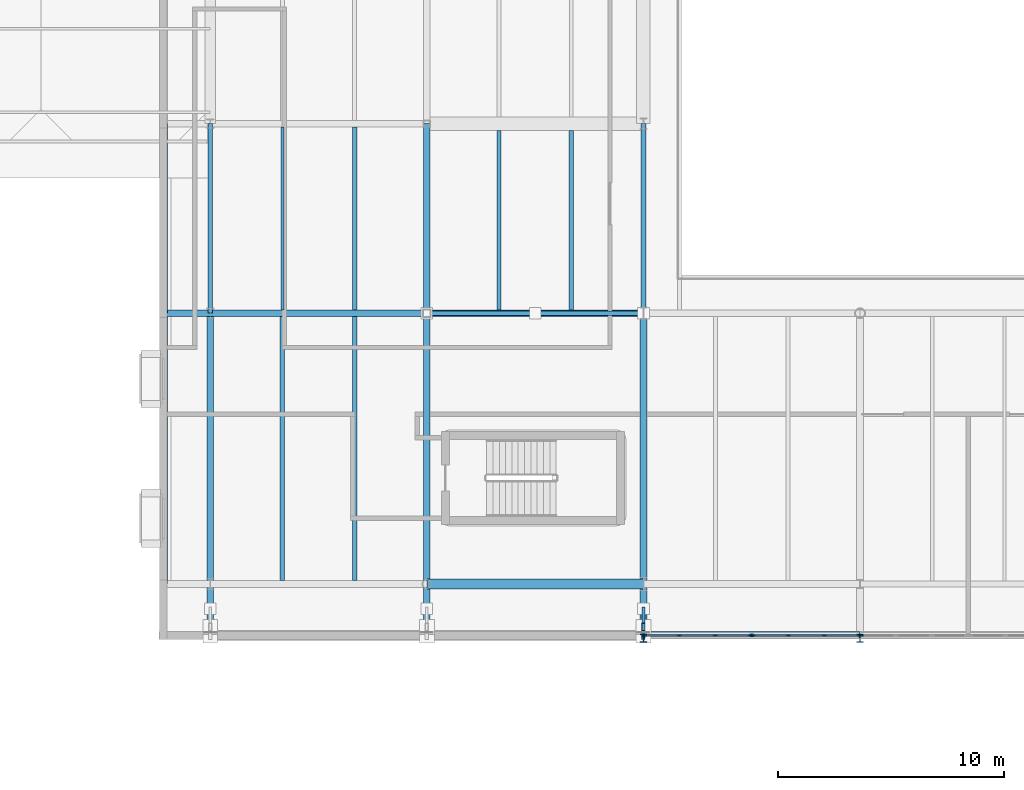
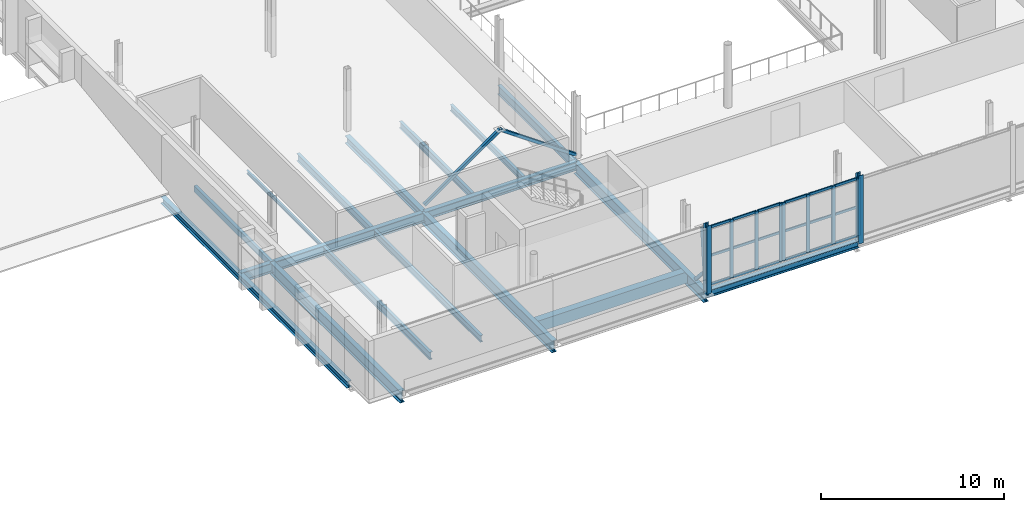
# One storey, part 26 of 90: 33 members, 18 beams, 3 elements without a shape of their own.
"""IFC4 building model written with IfcOpenShell, lengths in metres."""

from ifc_helpers import new_model, si_unit, direction, frame, origin, origin_2d, place, context, subcontext, project, spatial, rectangle, hollow_rectangle, i_section, extrude, material, layer, layer_set, material_profile, profile_set, type_object, element, aggregate, save


model = new_model("IFC4")

# Units and contexts
model_context = context("Model", 3, precision=1e-05, world=origin(), true_north=direction((0.0, 1.0)))
body_context = subcontext(model_context, "Body", "Model", "MODEL_VIEW")
ifc_project = project(units=[si_unit("LENGTHUNIT", "METRE"), si_unit("AREAUNIT", "SQUARE_METRE"), si_unit("VOLUMEUNIT", "CUBIC_METRE"), si_unit("PLANEANGLEUNIT", "RADIAN"), si_unit("MASSUNIT", "GRAM", prefix="KILO")], contexts=[model_context])

# Site, building, storey
site_placement = place(None, origin())
site = spatial("IfcSite", under=ifc_project, at=site_placement, CompositionType="ELEMENT")
building_placement = place(site_placement, origin())
building = spatial("IfcBuilding", under=site, at=building_placement, Name="Zereglee Splitstone Museum", CompositionType="ELEMENT")
storey_placement = place(building_placement, frame((0.0, 0.0, 4.800048828125)))
storey = spatial("IfcBuildingStorey", under=building, at=storey_placement, Name="L01", CompositionType="ELEMENT", Elevation=4.800048828125)

# Members
ifc_material_1 = material(Name="Steel S355J2H", Category="steel")
ifc_material_profile_1 = material_profile(ifc_material_1, hollow_rectangle(XDim=0.179931640625, YDim=0.179931640625, WallThickness=0.010009765625, at=origin_2d()), Name="SHS 180x180x10")
ifc_profile_set_1 = profile_set([ifc_material_profile_1], Name="Steel S355J2H")
member_type_1 = type_object("IfcMemberType", Name="TB-08", PredefinedType="BRACE", material=ifc_profile_set_1)
for number, where, z_axis, x_axis, name in (
    (1, (87.60009765625, 21.60009765625, 0.119873046875), (0.819212344006, 0.0, 0.573490309794), (0.0, 1.0, 0.0), "Lateral Braced Frame Chevron L01-006A"),
    (2, (97.199951171875, 21.60009765625, 0.119873046875), (-0.819226047866, 0.0, 0.573470733776), (0.0, -1.0, 0.0), "Lateral Braced Frame Chevron L01-006B"),
):
    element("IfcMember", number, at=place(storey_placement, frame(where, z_axis=z_axis, x_axis=x_axis)), inside=storey, type_object=member_type_1, Name=name, PredefinedType="BRACE", context=body_context, shape_type="SweptSolid", body=[
        extrude(hollow_rectangle(XDim=0.179931640625, YDim=0.179931640625, WallThickness=0.010009765625, at=origin_2d()), origin(), (0.0, 0.0, 1.0), 5.859130859375),
    ])

# Curtain wall, members
ifc_material_2 = material(Name="Triple-glazed low-E argon glass and bronze-anodised aluminium", Category="aluminium")
ifc_layer_1 = layer(ifc_material_2, 0.219970703125)
ifc_layer_set_1 = layer_set([ifc_layer_1], Name="Triple-glazed low-E argon glass and bronze-anodised aluminium")
curtain_wall_type_1 = type_object("IfcCurtainWallType", Name="CW-0476-390", PredefinedType="USERDEFINED", material=ifc_layer_set_1)
curtain_wall_1_placement = place(storey_placement, origin())
curtain_wall_1 = element("IfcCurtainWall", 3, at=curtain_wall_1_placement, inside=storey, type_object=curtain_wall_type_1, Name="Glazed Curtain Wall CW-0476-390 (L01)", ObjectType="GLAZED CURTAIN WALL", PredefinedType="USERDEFINED")
ifc_material_3 = material(Name="Thermally broken bronze-anodised aluminium", Category="aluminium")
ifc_material_profile_2 = material_profile(ifc_material_3, rectangle(XDim=0.074951171875, YDim=0.219970703125, at=origin_2d()), Name="CW MULL 75x220")
ifc_profile_set_2 = profile_set([ifc_material_profile_2], Name="Thermally broken bronze-anodised aluminium")
member_type_2 = type_object("IfcMemberType", Name="CWM-02", PredefinedType="MULLION", material=ifc_profile_set_2)
member_1_placement = place(storey_placement, frame((97.237548828125, 7.320068359375, 0.0), z_axis=(0.0, 0.0, 1.0), x_axis=(0.0, 1.0, 0.0)))
member_1 = element("IfcMember", 4, at=member_1_placement, type_object=member_type_2, Name="CW-0476-390 mullion 1", PredefinedType="MULLION", context=body_context, shape_type="SweptSolid", body=[
    extrude(rectangle(XDim=0.074951171875, YDim=0.219970703125, at=origin_2d()), origin(), (0.0, 0.0, 1.0), 3.89990234375),
])
member_2_placement = place(storey_placement, frame((98.78662109375, 7.320068359375, 0.0), z_axis=(0.0, 0.0, 1.0), x_axis=(0.0, 1.0, 0.0)))
member_2 = element("IfcMember", 5, at=member_2_placement, type_object=member_type_2, Name="CW-0476-390 mullion 2", PredefinedType="MULLION", context=body_context, shape_type="SweptSolid", body=[
    extrude(rectangle(XDim=0.074951171875, YDim=0.219970703125, at=origin_2d()), origin(), (0.0, 0.0, 1.0), 3.89990234375),
])
member_3_placement = place(storey_placement, frame((100.373291015625, 7.320068359375, 0.0), z_axis=(0.0, 0.0, 1.0), x_axis=(0.0, 1.0, 0.0)))
member_3 = element("IfcMember", 6, at=member_3_placement, type_object=member_type_2, Name="CW-0476-390 mullion 3", PredefinedType="MULLION", context=body_context, shape_type="SweptSolid", body=[
    extrude(rectangle(XDim=0.074951171875, YDim=0.219970703125, at=origin_2d()), origin(), (0.0, 0.0, 1.0), 3.89990234375),
])
member_4_placement = place(storey_placement, frame((101.922607421875, 7.320068359375, 0.0), z_axis=(0.0, 0.0, 1.0), x_axis=(0.0, 1.0, 0.0)))
member_4 = element("IfcMember", 7, at=member_4_placement, type_object=member_type_2, Name="CW-0476-390 mullion 4", PredefinedType="MULLION", context=body_context, shape_type="SweptSolid", body=[
    extrude(rectangle(XDim=0.074951171875, YDim=0.219970703125, at=origin_2d()), origin(), (0.0, 0.0, 1.0), 3.89990234375),
])

ifc_layer_2 = layer(ifc_material_2, 0.219970703125)
ifc_layer_set_2 = layer_set([ifc_layer_2], Name="Triple-glazed low-E argon glass and bronze-anodised aluminium")
curtain_wall_type_2 = type_object("IfcCurtainWallType", Name="CW-0476-388", PredefinedType="USERDEFINED", material=ifc_layer_set_2)
curtain_wall_2_placement = place(storey_placement, origin())
curtain_wall_2 = element("IfcCurtainWall", 8, at=curtain_wall_2_placement, inside=storey, type_object=curtain_wall_type_2, Name="Glazed Curtain Wall CW-0476-388 (L01)", ObjectType="GLAZED CURTAIN WALL", PredefinedType="USERDEFINED")
member_5_placement = place(storey_placement, frame((102.077392578125, 7.320068359375, 0.0), z_axis=(0.0, 0.0, 1.0), x_axis=(0.0, 1.0, 0.0)))
member_5 = element("IfcMember", 9, at=member_5_placement, type_object=member_type_2, Name="CW-0476-388 mullion 1", PredefinedType="MULLION", context=body_context, shape_type="SweptSolid", body=[
    extrude(rectangle(XDim=0.074951171875, YDim=0.219970703125, at=origin_2d()), origin(), (0.0, 0.0, 1.0), 3.8798828125),
])
member_6_placement = place(storey_placement, frame((103.626708984375, 7.320068359375, 0.0), z_axis=(0.0, 0.0, 1.0), x_axis=(0.0, 1.0, 0.0)))
member_6 = element("IfcMember", 10, at=member_6_placement, type_object=member_type_2, Name="CW-0476-388 mullion 2", PredefinedType="MULLION", context=body_context, shape_type="SweptSolid", body=[
    extrude(rectangle(XDim=0.074951171875, YDim=0.219970703125, at=origin_2d()), origin(), (0.0, 0.0, 1.0), 3.8798828125),
])
member_7_placement = place(storey_placement, frame((105.21337890625, 7.320068359375, 0.0), z_axis=(0.0, 0.0, 1.0), x_axis=(0.0, 1.0, 0.0)))
member_7 = element("IfcMember", 11, at=member_7_placement, type_object=member_type_2, Name="CW-0476-388 mullion 3", PredefinedType="MULLION", context=body_context, shape_type="SweptSolid", body=[
    extrude(rectangle(XDim=0.074951171875, YDim=0.219970703125, at=origin_2d()), origin(), (0.0, 0.0, 1.0), 3.8798828125),
])
member_8_placement = place(storey_placement, frame((106.762451171875, 7.320068359375, 0.0), z_axis=(0.0, 0.0, 1.0), x_axis=(0.0, 1.0, 0.0)))
member_8 = element("IfcMember", 12, at=member_8_placement, type_object=member_type_2, Name="CW-0476-388 mullion 4", PredefinedType="MULLION", context=body_context, shape_type="SweptSolid", body=[
    extrude(rectangle(XDim=0.074951171875, YDim=0.219970703125, at=origin_2d()), origin(), (0.0, 0.0, 1.0), 3.8798828125),
])

# Curtain wall, member
ifc_layer_3 = layer(ifc_material_2, 0.219970703125)
ifc_layer_set_3 = layer_set([ifc_layer_3], Name="Triple-glazed low-E argon glass and bronze-anodised aluminium")
curtain_wall_type_3 = type_object("IfcCurtainWallType", Name="CW-0476-384", PredefinedType="USERDEFINED", material=ifc_layer_set_3)
curtain_wall_3_placement = place(storey_placement, origin())
curtain_wall_3 = element("IfcCurtainWall", 13, at=curtain_wall_3_placement, inside=storey, type_object=curtain_wall_type_3, Name="Glazed Curtain Wall CW-0476-384 (L01)", ObjectType="GLAZED CURTAIN WALL", PredefinedType="USERDEFINED")
member_9_placement = place(storey_placement, frame((106.83740234375, 7.320068359375, 0.0), z_axis=(0.0, 0.0, 1.0), x_axis=(0.0, 1.0, 0.0)))
member_9 = element("IfcMember", 14, at=member_9_placement, type_object=member_type_2, Name="CW-0476-384 mullion 1", PredefinedType="MULLION", context=body_context, shape_type="SweptSolid", body=[
    extrude(rectangle(XDim=0.074951171875, YDim=0.219970703125, at=origin_2d()), origin(), (0.0, 0.0, 1.0), 3.83984375),
])
aggregate(curtain_wall_3, [member_9])

# Member
ifc_material_profile_3 = material_profile(ifc_material_3, rectangle(XDim=0.074951171875, YDim=0.1650390625, at=origin_2d()), Name="CW TRAN 75x165")
ifc_profile_set_3 = profile_set([ifc_material_profile_3], Name="Thermally broken bronze-anodised aluminium")
member_type_3 = type_object("IfcMemberType", Name="CWT-02", PredefinedType="USERDEFINED", material=ifc_profile_set_3)
member_10_placement = place(storey_placement, frame((97.27490234375, 7.320068359375, 0.037353515625), z_axis=(1.0, 0.0, 0.0), x_axis=(0.0, 1.0, 0.0)))
member_10 = element("IfcMember", 15, at=member_10_placement, type_object=member_type_3, Name="CW-0476-390 transom 1.1", ObjectType="TRANSOM", PredefinedType="USERDEFINED", context=body_context, shape_type="SweptSolid", body=[
    extrude(rectangle(XDim=0.074951171875, YDim=0.1650390625, at=origin_2d()), origin(), (0.0, 0.0, 1.0), 1.474365234375),
])

member_11_placement = place(storey_placement, frame((97.27490234375, 7.320068359375, 1.949951171875), z_axis=(1.0, 0.0, 0.0), x_axis=(0.0, 1.0, 0.0)))
member_11 = element("IfcMember", 16, at=member_11_placement, type_object=member_type_3, Name="CW-0476-390 transom 1.2", ObjectType="TRANSOM", PredefinedType="USERDEFINED", context=body_context, shape_type="SweptSolid", body=[
    extrude(rectangle(XDim=0.074951171875, YDim=0.1650390625, at=origin_2d()), origin(), (0.0, 0.0, 1.0), 1.474365234375),
])

member_12_placement = place(storey_placement, frame((97.27490234375, 7.320068359375, 3.862548828125), z_axis=(1.0, 0.0, 0.0), x_axis=(0.0, 1.0, 0.0)))
member_12 = element("IfcMember", 17, at=member_12_placement, type_object=member_type_3, Name="CW-0476-390 transom 1.3", ObjectType="TRANSOM", PredefinedType="USERDEFINED", context=body_context, shape_type="SweptSolid", body=[
    extrude(rectangle(XDim=0.074951171875, YDim=0.1650390625, at=origin_2d()), origin(), (0.0, 0.0, 1.0), 1.474365234375),
])

member_13_placement = place(storey_placement, frame((98.82421875, 7.320068359375, 0.037353515625), z_axis=(1.0, 0.0, 0.0), x_axis=(0.0, 1.0, 0.0)))
member_13 = element("IfcMember", 18, at=member_13_placement, type_object=member_type_3, Name="CW-0476-390 transom 2.1", ObjectType="TRANSOM", PredefinedType="USERDEFINED", context=body_context, shape_type="SweptSolid", body=[
    extrude(rectangle(XDim=0.074951171875, YDim=0.1650390625, at=origin_2d()), origin(), (0.0, 0.0, 1.0), 1.51171875),
])

member_14_placement = place(storey_placement, frame((98.82421875, 7.320068359375, 1.949951171875), z_axis=(1.0, 0.0, 0.0), x_axis=(0.0, 1.0, 0.0)))
member_14 = element("IfcMember", 19, at=member_14_placement, type_object=member_type_3, Name="CW-0476-390 transom 2.2", ObjectType="TRANSOM", PredefinedType="USERDEFINED", context=body_context, shape_type="SweptSolid", body=[
    extrude(rectangle(XDim=0.074951171875, YDim=0.1650390625, at=origin_2d()), origin(), (0.0, 0.0, 1.0), 1.51171875),
])

member_15_placement = place(storey_placement, frame((98.82421875, 7.320068359375, 3.862548828125), z_axis=(1.0, 0.0, 0.0), x_axis=(0.0, 1.0, 0.0)))
member_15 = element("IfcMember", 20, at=member_15_placement, type_object=member_type_3, Name="CW-0476-390 transom 2.3", ObjectType="TRANSOM", PredefinedType="USERDEFINED", context=body_context, shape_type="SweptSolid", body=[
    extrude(rectangle(XDim=0.074951171875, YDim=0.1650390625, at=origin_2d()), origin(), (0.0, 0.0, 1.0), 1.51171875),
])

member_16_placement = place(storey_placement, frame((100.410888671875, 7.320068359375, 0.037353515625), z_axis=(1.0, 0.0, 0.0), x_axis=(0.0, 1.0, 0.0)))
member_16 = element("IfcMember", 21, at=member_16_placement, type_object=member_type_3, Name="CW-0476-390 transom 3.1", ObjectType="TRANSOM", PredefinedType="USERDEFINED", context=body_context, shape_type="SweptSolid", body=[
    extrude(rectangle(XDim=0.074951171875, YDim=0.1650390625, at=origin_2d()), origin(), (0.0, 0.0, 1.0), 1.47412109375),
])

member_17_placement = place(storey_placement, frame((100.410888671875, 7.320068359375, 1.949951171875), z_axis=(1.0, 0.0, 0.0), x_axis=(0.0, 1.0, 0.0)))
member_17 = element("IfcMember", 22, at=member_17_placement, type_object=member_type_3, Name="CW-0476-390 transom 3.2", ObjectType="TRANSOM", PredefinedType="USERDEFINED", context=body_context, shape_type="SweptSolid", body=[
    extrude(rectangle(XDim=0.074951171875, YDim=0.1650390625, at=origin_2d()), origin(), (0.0, 0.0, 1.0), 1.47412109375),
])

member_18_placement = place(storey_placement, frame((100.410888671875, 7.320068359375, 3.862548828125), z_axis=(1.0, 0.0, 0.0), x_axis=(0.0, 1.0, 0.0)))
member_18 = element("IfcMember", 23, at=member_18_placement, type_object=member_type_3, Name="CW-0476-390 transom 3.3", ObjectType="TRANSOM", PredefinedType="USERDEFINED", context=body_context, shape_type="SweptSolid", body=[
    extrude(rectangle(XDim=0.074951171875, YDim=0.1650390625, at=origin_2d()), origin(), (0.0, 0.0, 1.0), 1.47412109375),
])

aggregate(curtain_wall_1, [member_1, member_2, member_3, member_4, member_10, member_11, member_12, member_13, member_14, member_15, member_16, member_17, member_18])

member_19_placement = place(storey_placement, frame((102.114990234375, 7.320068359375, 0.037353515625), z_axis=(1.0, 0.0, 0.0), x_axis=(0.0, 1.0, 0.0)))
member_19 = element("IfcMember", 24, at=member_19_placement, type_object=member_type_3, Name="CW-0476-388 transom 1.1", ObjectType="TRANSOM", PredefinedType="USERDEFINED", context=body_context, shape_type="SweptSolid", body=[
    extrude(rectangle(XDim=0.074951171875, YDim=0.1650390625, at=origin_2d()), origin(), (0.0, 0.0, 1.0), 1.47412109375),
])

member_20_placement = place(storey_placement, frame((102.114990234375, 7.320068359375, 1.93994140625), z_axis=(1.0, 0.0, 0.0), x_axis=(0.0, 1.0, 0.0)))
member_20 = element("IfcMember", 25, at=member_20_placement, type_object=member_type_3, Name="CW-0476-388 transom 1.2", ObjectType="TRANSOM", PredefinedType="USERDEFINED", context=body_context, shape_type="SweptSolid", body=[
    extrude(rectangle(XDim=0.074951171875, YDim=0.1650390625, at=origin_2d()), origin(), (0.0, 0.0, 1.0), 1.47412109375),
])

member_21_placement = place(storey_placement, frame((102.114990234375, 7.320068359375, 3.842529296875), z_axis=(1.0, 0.0, 0.0), x_axis=(0.0, 1.0, 0.0)))
member_21 = element("IfcMember", 26, at=member_21_placement, type_object=member_type_3, Name="CW-0476-388 transom 1.3", ObjectType="TRANSOM", PredefinedType="USERDEFINED", context=body_context, shape_type="SweptSolid", body=[
    extrude(rectangle(XDim=0.074951171875, YDim=0.1650390625, at=origin_2d()), origin(), (0.0, 0.0, 1.0), 1.47412109375),
])

member_22_placement = place(storey_placement, frame((103.6640625, 7.320068359375, 0.037353515625), z_axis=(1.0, 0.0, 0.0), x_axis=(0.0, 1.0, 0.0)))
member_22 = element("IfcMember", 27, at=member_22_placement, type_object=member_type_3, Name="CW-0476-388 transom 2.1", ObjectType="TRANSOM", PredefinedType="USERDEFINED", context=body_context, shape_type="SweptSolid", body=[
    extrude(rectangle(XDim=0.074951171875, YDim=0.1650390625, at=origin_2d()), origin(), (0.0, 0.0, 1.0), 1.51171875),
])

member_23_placement = place(storey_placement, frame((103.6640625, 7.320068359375, 1.93994140625), z_axis=(1.0, 0.0, 0.0), x_axis=(0.0, 1.0, 0.0)))
member_23 = element("IfcMember", 28, at=member_23_placement, type_object=member_type_3, Name="CW-0476-388 transom 2.2", ObjectType="TRANSOM", PredefinedType="USERDEFINED", context=body_context, shape_type="SweptSolid", body=[
    extrude(rectangle(XDim=0.074951171875, YDim=0.1650390625, at=origin_2d()), origin(), (0.0, 0.0, 1.0), 1.51171875),
])

member_24_placement = place(storey_placement, frame((103.6640625, 7.320068359375, 3.842529296875), z_axis=(1.0, 0.0, 0.0), x_axis=(0.0, 1.0, 0.0)))
member_24 = element("IfcMember", 29, at=member_24_placement, type_object=member_type_3, Name="CW-0476-388 transom 2.3", ObjectType="TRANSOM", PredefinedType="USERDEFINED", context=body_context, shape_type="SweptSolid", body=[
    extrude(rectangle(XDim=0.074951171875, YDim=0.1650390625, at=origin_2d()), origin(), (0.0, 0.0, 1.0), 1.51171875),
])

member_25_placement = place(storey_placement, frame((105.250732421875, 7.320068359375, 0.037353515625), z_axis=(1.0, 0.0, 0.0), x_axis=(0.0, 1.0, 0.0)))
member_25 = element("IfcMember", 30, at=member_25_placement, type_object=member_type_3, Name="CW-0476-388 transom 3.1", ObjectType="TRANSOM", PredefinedType="USERDEFINED", context=body_context, shape_type="SweptSolid", body=[
    extrude(rectangle(XDim=0.074951171875, YDim=0.1650390625, at=origin_2d()), origin(), (0.0, 0.0, 1.0), 1.474365234375),
])

member_26_placement = place(storey_placement, frame((105.250732421875, 7.320068359375, 1.93994140625), z_axis=(1.0, 0.0, 0.0), x_axis=(0.0, 1.0, 0.0)))
member_26 = element("IfcMember", 31, at=member_26_placement, type_object=member_type_3, Name="CW-0476-388 transom 3.2", ObjectType="TRANSOM", PredefinedType="USERDEFINED", context=body_context, shape_type="SweptSolid", body=[
    extrude(rectangle(XDim=0.074951171875, YDim=0.1650390625, at=origin_2d()), origin(), (0.0, 0.0, 1.0), 1.474365234375),
])

member_27_placement = place(storey_placement, frame((105.250732421875, 7.320068359375, 3.842529296875), z_axis=(1.0, 0.0, 0.0), x_axis=(0.0, 1.0, 0.0)))
member_27 = element("IfcMember", 32, at=member_27_placement, type_object=member_type_3, Name="CW-0476-388 transom 3.3", ObjectType="TRANSOM", PredefinedType="USERDEFINED", context=body_context, shape_type="SweptSolid", body=[
    extrude(rectangle(XDim=0.074951171875, YDim=0.1650390625, at=origin_2d()), origin(), (0.0, 0.0, 1.0), 1.474365234375),
])

aggregate(curtain_wall_2, [member_5, member_6, member_7, member_8, member_19, member_20, member_21, member_22, member_23, member_24, member_25, member_26, member_27])

# Members
ifc_material_4 = material(Name="Steel S355J2", Category="steel")
ifc_material_profile_4 = material_profile(ifc_material_4, i_section(OverallWidth=0.300048828125, OverallDepth=0.360107421875, WebThickness=0.012451171875, FlangeThickness=0.0224609375, FilletRadius=0.027099609375, at=origin_2d()), Name="HE 360 B")
ifc_profile_set_4 = profile_set([ifc_material_profile_4], Name="Steel S355J2")
member_type_4 = type_object("IfcMemberType", Name="TC-06", PredefinedType="CHORD", material=ifc_profile_set_4)
for number, where, z_axis, x_axis, name in (
    (33, (97.199951171875, 7.199951171875, -0.35009765625), (0.0, 0.0, 1.0), (1.0, 0.0, 0.0), "Mughal Guldasta Hovering Portal Pier G05 L01"),
    (34, (106.800048828125, 7.199951171875, -0.35009765625), (0.0, 0.0, 1.0), (1.0, 0.0, 0.0), "Mughal Guldasta Hovering Portal Pier G06 L01"),
):
    element("IfcMember", number, at=place(storey_placement, frame(where, z_axis=z_axis, x_axis=x_axis)), inside=storey, type_object=member_type_4, Name=name, PredefinedType="CHORD", context=body_context, shape_type="SweptSolid", body=[
        extrude(i_section(OverallWidth=0.300048828125, OverallDepth=0.360107421875, WebThickness=0.012451171875, FlangeThickness=0.0224609375, FilletRadius=0.027099609375, at=origin_2d()), origin(), (0.0, 0.0, 1.0), 4.550048828125),
    ])

# Beams
ifc_material_profile_5 = material_profile(ifc_material_4, i_section(OverallWidth=0.300048828125, OverallDepth=0.5, WebThickness=0.014404296875, FlangeThickness=0.028076171875, FilletRadius=0.027099609375, at=origin_2d()), Name="HE 500 B")
ifc_profile_set_5 = profile_set([ifc_material_profile_5], Name="Steel S355J2")
beam_type_1 = type_object("IfcBeamType", Name="BG-12", PredefinedType="BEAM", material=ifc_profile_set_5)
beam_1_placement = place(storey_placement, frame((87.60009765625, 21.60009765625, -0.550048828125), z_axis=(0.0, 1.0, 0.0), x_axis=(-1.0, 0.0, 0.0)))
element("IfcBeam", 35, at=beam_1_placement, inside=storey, type_object=beam_type_1, Name="Primary Girder L01 11 (21.6-30.0)", PredefinedType="BEAM", context=body_context, shape_type="SweptSolid", body=[
    extrude(i_section(OverallWidth=0.300048828125, OverallDepth=0.5, WebThickness=0.014404296875, FlangeThickness=0.028076171875, FilletRadius=0.027099609375, at=origin_2d()), origin(), (0.0, 0.0, 1.0), 8.39990234375),
])
ifc_material_profile_6 = material_profile(ifc_material_4, i_section(OverallWidth=0.300048828125, OverallDepth=0.550048828125, WebThickness=0.014892578125, FlangeThickness=0.029052734375, FilletRadius=0.027099609375, at=origin_2d()), Name="HE 550 B")
ifc_profile_set_6 = profile_set([ifc_material_profile_6], Name="Steel S355J2")
beam_type_2 = type_object("IfcBeamType", Name="BG-11", PredefinedType="BEAM", material=ifc_profile_set_6)
beam_2_placement = place(storey_placement, frame((87.60009765625, 21.60009765625, -0.574951171875), z_axis=(1.0, 0.0, 0.0), x_axis=(0.0, 1.0, 0.0)))
element("IfcBeam", 36, at=beam_2_placement, inside=storey, type_object=beam_type_2, Name="Primary Girder L01 C (87.6-97.2)", PredefinedType="BEAM", context=body_context, shape_type="SweptSolid", body=[
    extrude(i_section(OverallWidth=0.300048828125, OverallDepth=0.550048828125, WebThickness=0.014892578125, FlangeThickness=0.029052734375, FilletRadius=0.027099609375, at=origin_2d()), origin(), (0.0, 0.0, 1.0), 9.599853515625),
])
ifc_material_profile_7 = material_profile(ifc_material_4, i_section(OverallWidth=0.300048828125, OverallDepth=0.64990234375, WebThickness=0.01611328125, FlangeThickness=0.031005859375, FilletRadius=0.027099609375, at=origin_2d()), Name="HE 650 B")
ifc_profile_set_7 = profile_set([ifc_material_profile_7], Name="Steel S355J2")
beam_type_3 = type_object("IfcBeamType", Name="BG-09", PredefinedType="BEAM", material=ifc_profile_set_7)
beam_3_placement = place(storey_placement, frame((75.949951171875, 21.60009765625, -0.625), z_axis=(1.0, 0.0, 0.0), x_axis=(0.0, 1.0, 0.0)))
element("IfcBeam", 37, at=beam_3_placement, inside=storey, type_object=beam_type_3, Name="Primary Girder L01 C (76.0-87.6)", PredefinedType="BEAM", context=body_context, shape_type="SweptSolid", body=[
    extrude(i_section(OverallWidth=0.300048828125, OverallDepth=0.64990234375, WebThickness=0.01611328125, FlangeThickness=0.031005859375, FilletRadius=0.027099609375, at=origin_2d()), origin(), (0.0, 0.0, 1.0), 11.650146484375),
])
ifc_material_profile_8 = material_profile(ifc_material_4, i_section(OverallWidth=0.300048828125, OverallDepth=0.800048828125, WebThickness=0.017578125, FlangeThickness=0.032958984375, FilletRadius=0.030029296875, at=origin_2d()), Name="HE 800 B")
ifc_profile_set_8 = profile_set([ifc_material_profile_8], Name="Steel S355J2")
beam_type_4 = type_object("IfcBeamType", Name="BG-07", PredefinedType="BEAM", material=ifc_profile_set_8)
for number, where, z_axis, x_axis, name in (
    (38, (78.0, 7.35009765625, -0.699951171875), (0.0, 1.0, 0.0), (-1.0, 0.0, 0.0), "Primary Girder L01 10 (7.3-21.6)"),
    (39, (87.60009765625, 7.35009765625, -0.699951171875), (0.0, 1.0, 0.0), (-1.0, 0.0, 0.0), "Primary Girder L01 11 (7.3-21.6)"),
    (40, (97.199951171875, 7.35009765625, -0.699951171875), (0.0, 1.0, 0.0), (-1.0, 0.0, 0.0), "Primary Girder L01 12 (7.3-21.6)"),
):
    element("IfcBeam", number, at=place(storey_placement, frame(where, z_axis=z_axis, x_axis=x_axis)), inside=storey, type_object=beam_type_4, Name=name, PredefinedType="BEAM", context=body_context, shape_type="SweptSolid", body=[
        extrude(i_section(OverallWidth=0.300048828125, OverallDepth=0.800048828125, WebThickness=0.017578125, FlangeThickness=0.032958984375, FilletRadius=0.030029296875, at=origin_2d()), origin(), (0.0, 0.0, 1.0), 14.25),
    ])
ifc_material_profile_9 = material_profile(ifc_material_4, i_section(OverallWidth=0.219970703125, OverallDepth=0.60009765625, WebThickness=0.011962890625, FlangeThickness=0.01904296875, FilletRadius=0.02392578125, at=origin_2d()), Name="IPE 600")
ifc_profile_set_9 = profile_set([ifc_material_profile_9], Name="Steel S355J2")
beam_type_5 = type_object("IfcBeamType", Name="BG-15", PredefinedType="BEAM", material=ifc_profile_set_9)
beam_4_placement = place(storey_placement, frame((97.199951171875, 21.60009765625, -0.60009765625), z_axis=(0.0, 1.0, 0.0), x_axis=(-1.0, 0.0, 0.0)))
element("IfcBeam", 41, at=beam_4_placement, inside=storey, type_object=beam_type_5, Name="Primary Girder L01 12 (21.6-30.0)", PredefinedType="BEAM", context=body_context, shape_type="SweptSolid", body=[
    extrude(i_section(OverallWidth=0.219970703125, OverallDepth=0.60009765625, WebThickness=0.011962890625, FlangeThickness=0.01904296875, FilletRadius=0.02392578125, at=origin_2d()), origin(), (0.0, 0.0, 1.0), 8.39990234375),
])
ifc_material_profile_10 = material_profile(ifc_material_4, i_section(OverallWidth=0.1201171875, OverallDepth=0.239990234375, WebThickness=0.006103515625, FlangeThickness=0.009765625, FilletRadius=0.014892578125, at=origin_2d()), Name="IPE 240")
ifc_profile_set_10 = profile_set([ifc_material_profile_10], Name="Steel S355J2")
beam_type_6 = type_object("IfcBeamType", Name="BJ-07", PredefinedType="JOIST", material=ifc_profile_set_10)
beam_5_placement = place(storey_placement, frame((81.199951171875, 21.75, -0.420166015625), z_axis=(0.0, 1.0, 0.0), x_axis=(-1.0, 0.0, 0.0)))
element("IfcBeam", 42, at=beam_5_placement, inside=storey, type_object=beam_type_6, Name="Secondary Floor Joist L01-0734", PredefinedType="JOIST", context=body_context, shape_type="SweptSolid", body=[
    extrude(i_section(OverallWidth=0.1201171875, OverallDepth=0.239990234375, WebThickness=0.006103515625, FlangeThickness=0.009765625, FilletRadius=0.014892578125, at=origin_2d()), origin(), (0.0, 0.0, 1.0), 8.10009765625),
])
ifc_material_profile_11 = material_profile(ifc_material_4, i_section(OverallWidth=0.179931640625, OverallDepth=0.39990234375, WebThickness=0.008544921875, FlangeThickness=0.013427734375, FilletRadius=0.02099609375, at=origin_2d()), Name="IPE 400")
ifc_profile_set_11 = profile_set([ifc_material_profile_11], Name="Steel S355J2")
beam_type_7 = type_object("IfcBeamType", Name="BJ-03", PredefinedType="JOIST", material=ifc_profile_set_11)
beam_6_placement = place(storey_placement, frame((94.0, 21.75, -0.5), z_axis=(0.0, 1.0, 0.0), x_axis=(-1.0, 0.0, 0.0)))
element("IfcBeam", 43, at=beam_6_placement, inside=storey, type_object=beam_type_7, Name="Secondary Floor Joist L01-0737", PredefinedType="JOIST", context=body_context, shape_type="SweptSolid", body=[
    extrude(i_section(OverallWidth=0.179931640625, OverallDepth=0.39990234375, WebThickness=0.008544921875, FlangeThickness=0.013427734375, FilletRadius=0.02099609375, at=origin_2d()), origin(), (0.0, 0.0, 1.0), 7.949951171875),
])
ifc_material_profile_12 = material_profile(ifc_material_4, i_section(OverallWidth=0.18994140625, OverallDepth=0.449951171875, WebThickness=0.009521484375, FlangeThickness=0.0146484375, FilletRadius=0.02099609375, at=origin_2d()), Name="IPE 450")
ifc_profile_set_12 = profile_set([ifc_material_profile_12], Name="Steel S355J2")
beam_type_8 = type_object("IfcBeamType", Name="BJ-02", PredefinedType="JOIST", material=ifc_profile_set_12)
beam_7_placement = place(storey_placement, frame((84.39990234375, 9.75, -0.525146484375), z_axis=(0.0, 1.0, 0.0), x_axis=(-1.0, 0.0, 0.0)))
element("IfcBeam", 44, at=beam_7_placement, inside=storey, type_object=beam_type_8, Name="Secondary Floor Joist L01-0708", PredefinedType="JOIST", context=body_context, shape_type="SweptSolid", body=[
    extrude(i_section(OverallWidth=0.18994140625, OverallDepth=0.449951171875, WebThickness=0.009521484375, FlangeThickness=0.0146484375, FilletRadius=0.02099609375, at=origin_2d()), origin(), (0.0, 0.0, 1.0), 11.699951171875),
])
beam_8_placement = place(storey_placement, frame((90.800048828125, 21.75, -0.525146484375), z_axis=(0.0, 1.0, 0.0), x_axis=(-1.0, 0.0, 0.0)))
element("IfcBeam", 45, at=beam_8_placement, inside=storey, type_object=beam_type_8, Name="Secondary Floor Joist L01-0736", PredefinedType="JOIST", context=body_context, shape_type="SweptSolid", body=[
    extrude(i_section(OverallWidth=0.18994140625, OverallDepth=0.449951171875, WebThickness=0.009521484375, FlangeThickness=0.0146484375, FilletRadius=0.02099609375, at=origin_2d()), origin(), (0.0, 0.0, 1.0), 7.949951171875),
])
ifc_material_profile_13 = material_profile(ifc_material_4, i_section(OverallWidth=0.199951171875, OverallDepth=0.5, WebThickness=0.01025390625, FlangeThickness=0.01611328125, FilletRadius=0.02099609375, at=origin_2d()), Name="IPE 500")
ifc_profile_set_13 = profile_set([ifc_material_profile_13], Name="Steel S355J2")
beam_type_9 = type_object("IfcBeamType", Name="BJ-01", PredefinedType="JOIST", material=ifc_profile_set_13)
beam_9_placement = place(storey_placement, frame((81.199951171875, 9.75, -0.550048828125), z_axis=(0.0, 1.0, 0.0), x_axis=(-1.0, 0.0, 0.0)))
element("IfcBeam", 46, at=beam_9_placement, inside=storey, type_object=beam_type_9, Name="Secondary Floor Joist L01-0707", PredefinedType="JOIST", context=body_context, shape_type="SweptSolid", body=[
    extrude(i_section(OverallWidth=0.199951171875, OverallDepth=0.5, WebThickness=0.01025390625, FlangeThickness=0.01611328125, FilletRadius=0.02099609375, at=origin_2d()), origin(), (0.0, 0.0, 1.0), 11.699951171875),
])
beam_10_placement = place(storey_placement, frame((84.39990234375, 21.75, -0.550048828125), z_axis=(0.0, 1.0, 0.0), x_axis=(-1.0, 0.0, 0.0)))
element("IfcBeam", 47, at=beam_10_placement, inside=storey, type_object=beam_type_9, Name="Secondary Floor Joist L01-0735", PredefinedType="JOIST", context=body_context, shape_type="SweptSolid", body=[
    extrude(i_section(OverallWidth=0.199951171875, OverallDepth=0.5, WebThickness=0.01025390625, FlangeThickness=0.01611328125, FilletRadius=0.02099609375, at=origin_2d()), origin(), (0.0, 0.0, 1.0), 8.10009765625),
])
ifc_material_profile_14 = material_profile(ifc_material_4, i_section(OverallWidth=0.300048828125, OverallDepth=0.449951171875, WebThickness=0.013916015625, FlangeThickness=0.02587890625, FilletRadius=0.027099609375, at=origin_2d()), Name="HE 450 B")
ifc_profile_set_14 = profile_set([ifc_material_profile_14], Name="Steel S355J2")
beam_type_10 = type_object("IfcBeamType", Name="SP-02", PredefinedType="SPANDREL", material=ifc_profile_set_14)
beam_11_placement = place(storey_placement, frame((97.199951171875, 7.35009765625, -0.525146484375), z_axis=(1.0, 0.0, 0.0), x_axis=(0.0, 1.0, 0.0)))
element("IfcBeam", 48, at=beam_11_placement, inside=storey, type_object=beam_type_10, Name="Hovering Soffit Spandrel L01 (97.2-106.8)", PredefinedType="SPANDREL", context=body_context, shape_type="SweptSolid", body=[
    extrude(i_section(OverallWidth=0.300048828125, OverallDepth=0.449951171875, WebThickness=0.013916015625, FlangeThickness=0.02587890625, FilletRadius=0.027099609375, at=origin_2d()), origin(), (0.0, 0.0, 1.0), 9.60009765625),
])
beam_12_placement = place(storey_placement, frame((75.949951171875, 9.60009765625, -0.525146484375), z_axis=(0.0, 1.0, 0.0), x_axis=(-1.0, 0.0, 0.0)))
element("IfcBeam", 49, at=beam_12_placement, inside=storey, type_object=beam_type_10, Name="Hovering Soffit Spandrel L01 Y=(9.6-21.6)", PredefinedType="SPANDREL", context=body_context, shape_type="SweptSolid", body=[
    extrude(i_section(OverallWidth=0.300048828125, OverallDepth=0.449951171875, WebThickness=0.013916015625, FlangeThickness=0.02587890625, FilletRadius=0.027099609375, at=origin_2d()), origin(), (0.0, 0.0, 1.0), 12.0),
])
beam_13_placement = place(storey_placement, frame((75.949951171875, 21.60009765625, -0.525146484375), z_axis=(0.0, 1.0, 0.0), x_axis=(-1.0, 0.0, 0.0)))
element("IfcBeam", 50, at=beam_13_placement, inside=storey, type_object=beam_type_10, Name="Hovering Soffit Spandrel L01 Y=(21.6-30.0)", PredefinedType="SPANDREL", context=body_context, shape_type="SweptSolid", body=[
    extrude(i_section(OverallWidth=0.300048828125, OverallDepth=0.449951171875, WebThickness=0.013916015625, FlangeThickness=0.02587890625, FilletRadius=0.027099609375, at=origin_2d()), origin(), (0.0, 0.0, 1.0), 8.39990234375),
])
ifc_material_5 = material(Name="Concrete C40/50", Category="concrete")
ifc_material_profile_15 = material_profile(ifc_material_5, rectangle(XDim=0.449951171875, YDim=0.75, at=origin_2d()), Name="RC 450x750")
ifc_profile_set_15 = profile_set([ifc_material_profile_15], Name="Concrete C40/50")
beam_type_11 = type_object("IfcBeamType", Name="SP-01", PredefinedType="SPANDREL", material=ifc_profile_set_15)
beam_14_placement = place(storey_placement, frame((87.60009765625, 9.60009765625, -0.675048828125), z_axis=(1.0, 0.0, 0.0), x_axis=(0.0, 1.0, 0.0)))
element("IfcBeam", 51, at=beam_14_placement, inside=storey, type_object=beam_type_11, Name="Primary Girder L01 B (87.6-97.2)", PredefinedType="SPANDREL", context=body_context, shape_type="SweptSolid", body=[
    extrude(rectangle(XDim=0.449951171875, YDim=0.75, at=origin_2d()), origin(), (0.0, 0.0, 1.0), 9.599853515625),
])
ifc_material_profile_16 = material_profile(ifc_material_1, hollow_rectangle(XDim=0.199951171875, YDim=0.39990234375, WallThickness=0.01611328125, at=origin_2d()), Name="RHS 400x200x16")
ifc_profile_set_16 = profile_set([ifc_material_profile_16], Name="Steel S355J2H")
beam_type_12 = type_object("IfcBeamType", Name="SP-04", PredefinedType="SPANDREL", material=ifc_profile_set_16)
beam_15_placement = place(storey_placement, frame((78.0, 21.60009765625, -0.5), z_axis=(0.0, 1.0, 0.0), x_axis=(-1.0, 0.0, 0.0)))
element("IfcBeam", 52, at=beam_15_placement, inside=storey, type_object=beam_type_12, Name="Primary Girder L01 10 (21.6-30.0)", PredefinedType="SPANDREL", context=body_context, shape_type="SweptSolid", body=[
    extrude(hollow_rectangle(XDim=0.199951171875, YDim=0.39990234375, WallThickness=0.01611328125, at=origin_2d()), origin(), (0.0, 0.0, 1.0), 8.39990234375),
])

# Members
ifc_material_profile_17 = material_profile(ifc_material_1, hollow_rectangle(XDim=0.14990234375, YDim=0.35009765625, WallThickness=0.012451171875, at=origin_2d()), Name="RHS 350x150x12.5")
ifc_profile_set_17 = profile_set([ifc_material_profile_17], Name="Steel S355J2H")
member_type_5 = type_object("IfcMemberType", Name="FS-R0", PredefinedType="STRUT", material=ifc_profile_set_17)
member_28_placement = place(storey_placement, frame((97.199951171875, 7.3134765625, -0.550048828125), z_axis=(0.0, 0.090913341279, 0.995858807451), x_axis=(-1.0, 0.0, 0.0)))
element("IfcMember", 53, at=member_28_placement, inside=storey, type_object=member_type_5, Name="Split-Rock Continuous Facet Strut FH-V2SW L01-03", PredefinedType="STRUT", context=body_context, shape_type="SweptSolid", body=[
    extrude(hollow_rectangle(XDim=0.14990234375, YDim=0.35009765625, WallThickness=0.012451171875, at=origin_2d()), origin(), (0.0, 0.0, 1.0), 4.197265625),
])
ifc_material_profile_18 = material_profile(ifc_material_1, hollow_rectangle(XDim=0.1201171875, YDim=0.199951171875, WallThickness=0.008056640625, at=origin_2d()), Name="RHS 200x120x8")
ifc_profile_set_18 = profile_set([ifc_material_profile_18], Name="Steel S355J2H")
member_type_6 = type_object("IfcMemberType", Name="FS-T1", PredefinedType="STRUT", material=ifc_profile_set_18)
member_29_placement = place(storey_placement, frame((97.199951171875, 8.5, -0.260009765625), z_axis=(0.0, -0.67257975444, 0.740024644128), x_axis=(1.0, 0.0, 0.0)))
element("IfcMember", 54, at=member_29_placement, inside=storey, type_object=member_type_6, Name="Facet Tie-Back Strut FH-V2SW L01-03", PredefinedType="STRUT", context=body_context, shape_type="SweptSolid", body=[
    extrude(hollow_rectangle(XDim=0.1201171875, YDim=0.199951171875, WallThickness=0.008056640625, at=origin_2d()), origin(), (0.0, 0.0, 1.0), 1.5673828125),
])

save(model, "model.ifc")
